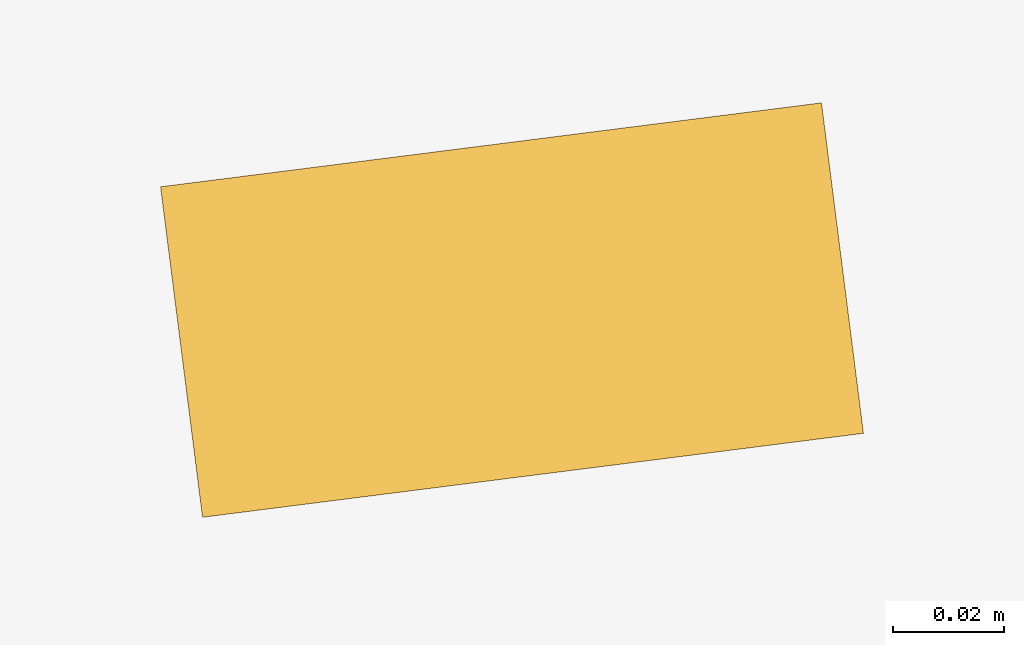
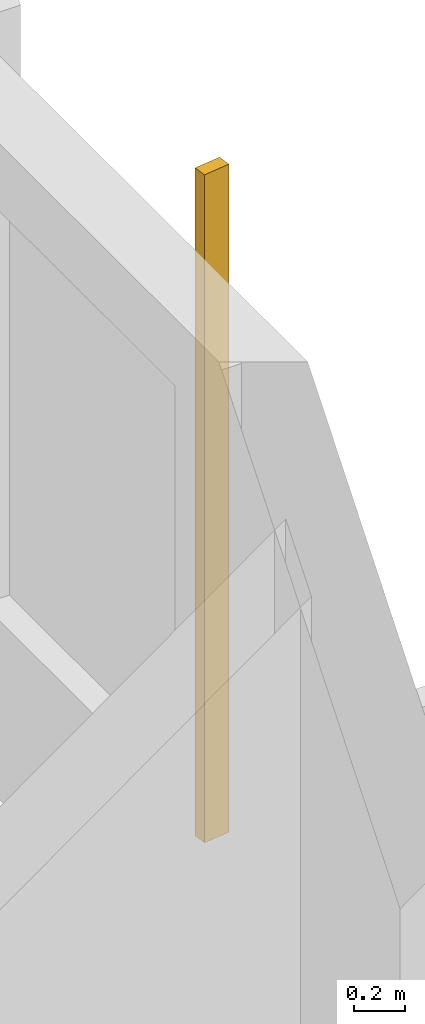
# One storey, part 18 of 22: 1 shading device.
"""IFC4 building model written with IfcOpenShell, lengths in metres."""

from ifc_helpers import new_model, si_unit, direction, frame, origin, origin_2d, place, context, subcontext, project, spatial, rectangle, extrude, source, transform, mapped, material, material_profile, profile_set, type_object, element, save


model = new_model("IFC4")

# Units and contexts
model_context = context("Model", 3, precision=1e-05, world=origin(), true_north=direction((0.0, 1.0)))
body_context = subcontext(model_context, "Body", "Model", "MODEL_VIEW")
ifc_project = project(units=[si_unit("LENGTHUNIT", "METRE"), si_unit("AREAUNIT", "SQUARE_METRE"), si_unit("VOLUMEUNIT", "CUBIC_METRE"), si_unit("PLANEANGLEUNIT", "RADIAN"), si_unit("MASSUNIT", "GRAM", prefix="KILO")], contexts=[model_context])

# Site, building, storey
site_placement = place(None, origin())
site = spatial("IfcSite", under=ifc_project, at=site_placement, CompositionType="ELEMENT")
building_placement = place(site_placement, origin())
building = spatial("IfcBuilding", under=site, at=building_placement, Name="Kilnfold Tower and Market Hall", CompositionType="ELEMENT")
storey_placement = place(building_placement, frame((0.0, 0.0, 143.89990234375)))
storey = spatial("IfcBuildingStorey", under=building, at=storey_placement, Name="L32", CompositionType="ELEMENT", Elevation=143.89990234375)

# Shading device
ifc_material = material(Name="Terracotta", Category="masonry")
ifc_material_profile = material_profile(ifc_material, rectangle(XDim=0.06005859375, YDim=0.1201171875, at=origin_2d()), Name="BAG 60x120")
ifc_profile_set = profile_set([ifc_material_profile], Name="Terracotta")
shading_device_type = type_object("IfcShadingDeviceType", Name="BAGUETTE", PredefinedType="USERDEFINED", material=ifc_profile_set)
shared_shape = source(origin(), body_context, "Body", "SweptSolid", [
    extrude(rectangle(XDim=0.06005859375, YDim=0.1201171875, at=origin_2d()), origin(), (0.0, 0.0, 1.0), 3.18017578125),
])
shading_device_placement = place(storey_placement, frame((25.550048828125, 5.971923828125, 0.0), z_axis=(0.0, 0.0, 1.0), x_axis=(-0.12599293276, 0.992031139075, 0.0)))
element("IfcShadingDevice", 1, at=shading_device_placement, inside=storey, type_object=shading_device_type, Name="Terracotta baguette L32 E", ObjectType="BAGUETTE", PredefinedType="USERDEFINED", context=body_context, shape_type="MappedRepresentation", body=[
    mapped(shared_shape, transform((0.0, 0.0, 0.0))),
])

save(model, "model.ifc")
